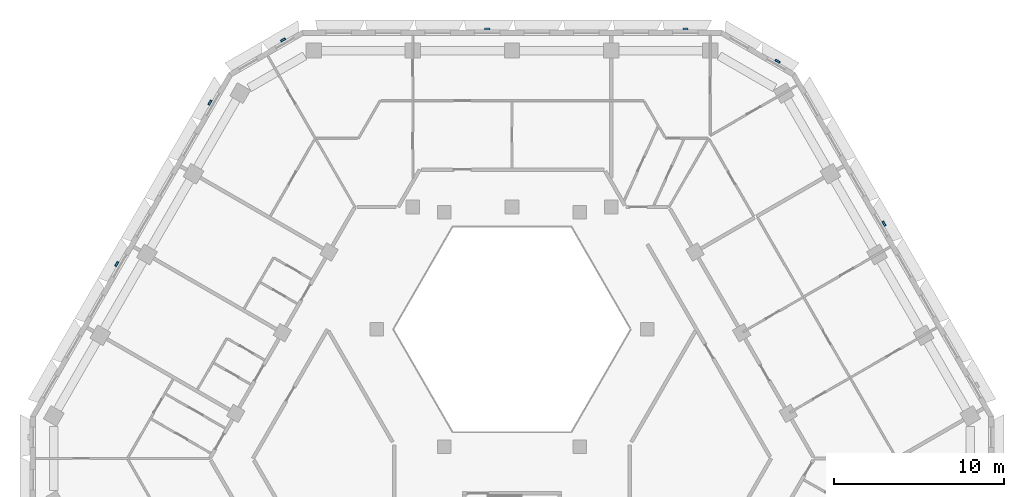
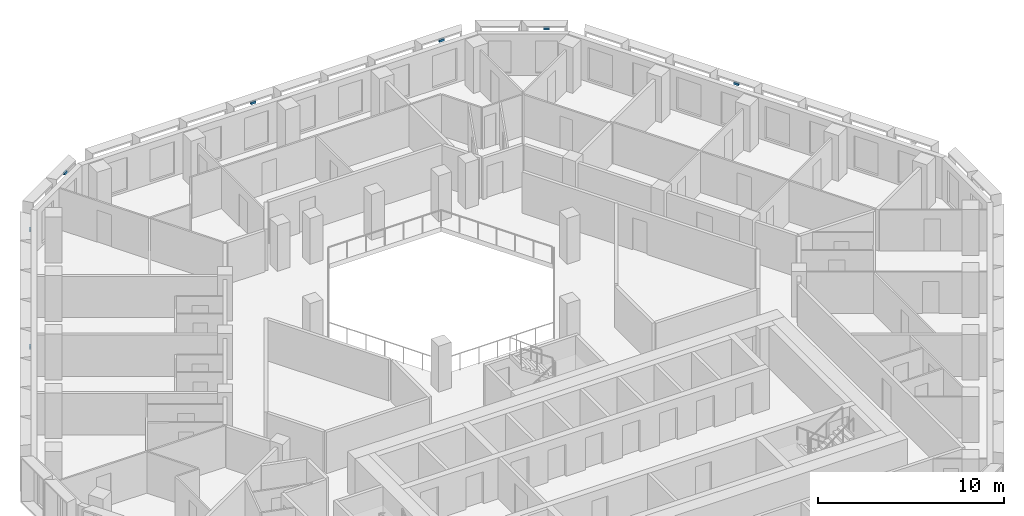
# One storey, part 11 of 17: 7 discrete accessories.
"""IFC4 building model written with IfcOpenShell, lengths in metres."""

from ifc_helpers import new_model, si_unit, direction, frame, origin, place, context, subcontext, project, spatial, polyline, outline, extrude, source, transform, mapped, material, type_object, type_shapes, element, save


model = new_model("IFC4")

# Units and contexts
model_context = context("Model", 3, precision=1e-05, world=origin(), true_north=direction((0.0, 1.0)))
body_context = subcontext(model_context, "Body", "Model", "MODEL_VIEW")
ifc_project = project(units=[si_unit("LENGTHUNIT", "METRE"), si_unit("AREAUNIT", "SQUARE_METRE"), si_unit("VOLUMEUNIT", "CUBIC_METRE"), si_unit("PLANEANGLEUNIT", "RADIAN"), si_unit("MASSUNIT", "GRAM", prefix="KILO")], contexts=[model_context])

# Site, building, storey
site_placement = place(None, origin())
site = spatial("IfcSite", under=ifc_project, at=site_placement, CompositionType="ELEMENT")
building_placement = place(site_placement, origin())
building = spatial("IfcBuilding", under=site, at=building_placement, Name="Beryl Residences", CompositionType="ELEMENT")
storey_placement = place(building_placement, frame((0.0, 0.0, 120.60009765625)))
storey = spatial("IfcBuildingStorey", under=building, at=storey_placement, Name="L36", CompositionType="ELEMENT", Elevation=120.60009765625)

# Discrete accessories
ifc_material = material(Name="Steel S355", Category="steel")
discrete_accessory_type = type_object("IfcDiscreteAccessoryType", Name="BR1 frame bracket 300 x 120 x 150 mm", PredefinedType="BRACKET", material=ifc_material)
shared_shape = source(origin(), body_context, "Body", "SweptSolid", [
    extrude(outline(polyline([(-0.14990234375, 0.0), (0.14990234375, 0.0), (0.14990234375, 0.1201171875), (-0.14990234375, 0.1201171875), (-0.14990234375, 0.0)])), origin(), (0.0, 0.0, 1.0), 0.14990234375),
])
type_shapes(discrete_accessory_type, [shared_shape])
for number, where, z_axis, x_axis, name in (
    (1, (10.2041015625, 25.60009765625, 2.75), (0.0, 0.0, 1.0), (1.0, 0.0, 0.0), "BR1 bracket L36 N 1"),
    (2, (-1.4580078125, 25.60009765625, 2.75), (0.0, 0.0, 1.0), (1.0, 0.0, 0.0), "BR1 bracket L36 N 5"),
    (3, (-13.43798828125, 24.97509765625, 2.75), (0.0, 0.0, 1.0), (0.866025403784, 0.5, 0.0), "BR1 bracket L36 N-NW 1"),
    (4, (-17.718017578125, 21.31298828125, 2.75), (0.0, 0.0, 1.0), (0.5, 0.866025403784, 0.0), "BR1 bracket L36 NW 1"),
    (5, (-23.202880859375, 11.81201171875, 2.75), (0.0, 0.0, 1.0), (0.5, 0.866025403784, 0.0), "BR1 bracket L36 NW 5"),
    (6, (21.8310546875, 14.18798828125, 2.75), (0.0, 0.0, 1.0), (0.5, -0.866025403784, 0.0), "BR1 bracket L36 NE 5"),
    (7, (15.60205078125, 23.72509765625, 2.75), (0.0, 0.0, 1.0), (0.866025403784, -0.5, 0.0), "BR1 bracket L36 NE-N 1"),
):
    element("IfcDiscreteAccessory", number, at=place(storey_placement, frame(where, z_axis=z_axis, x_axis=x_axis)), inside=storey, type_object=discrete_accessory_type, Name=name, PredefinedType="BRACKET", context=body_context, shape_type="MappedRepresentation", body=[
        mapped(shared_shape, transform((0.0, 0.0, 0.0))),
    ])

save(model, "model.ifc")
